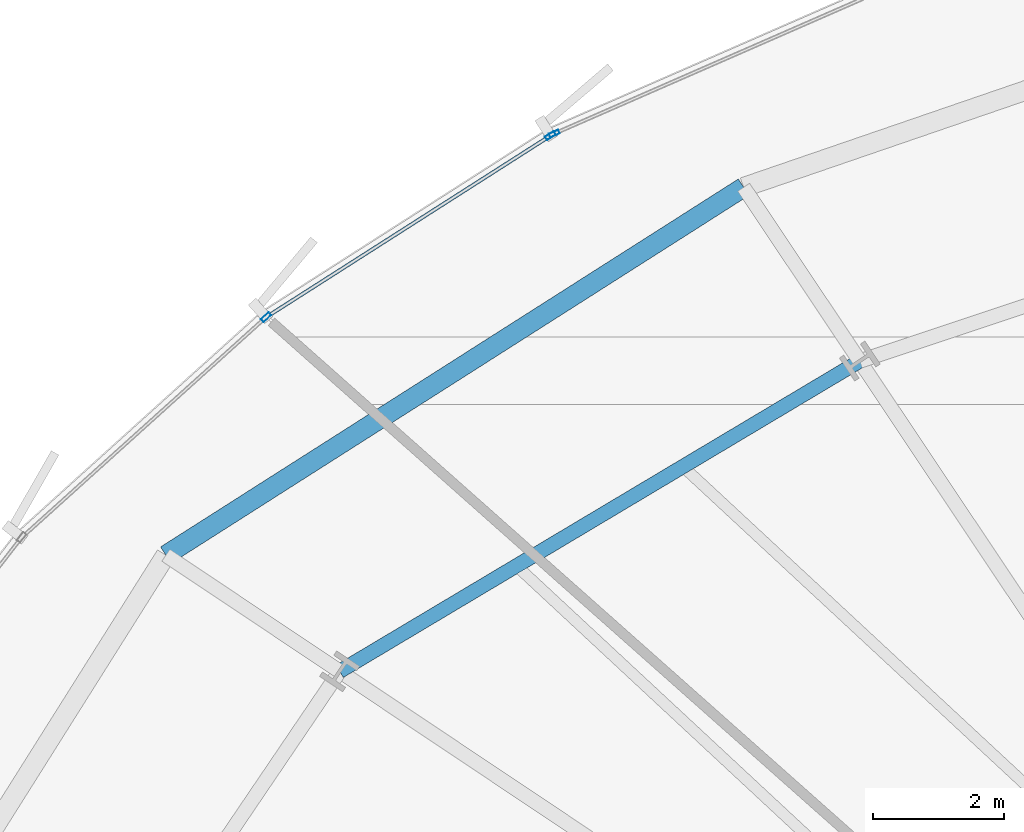
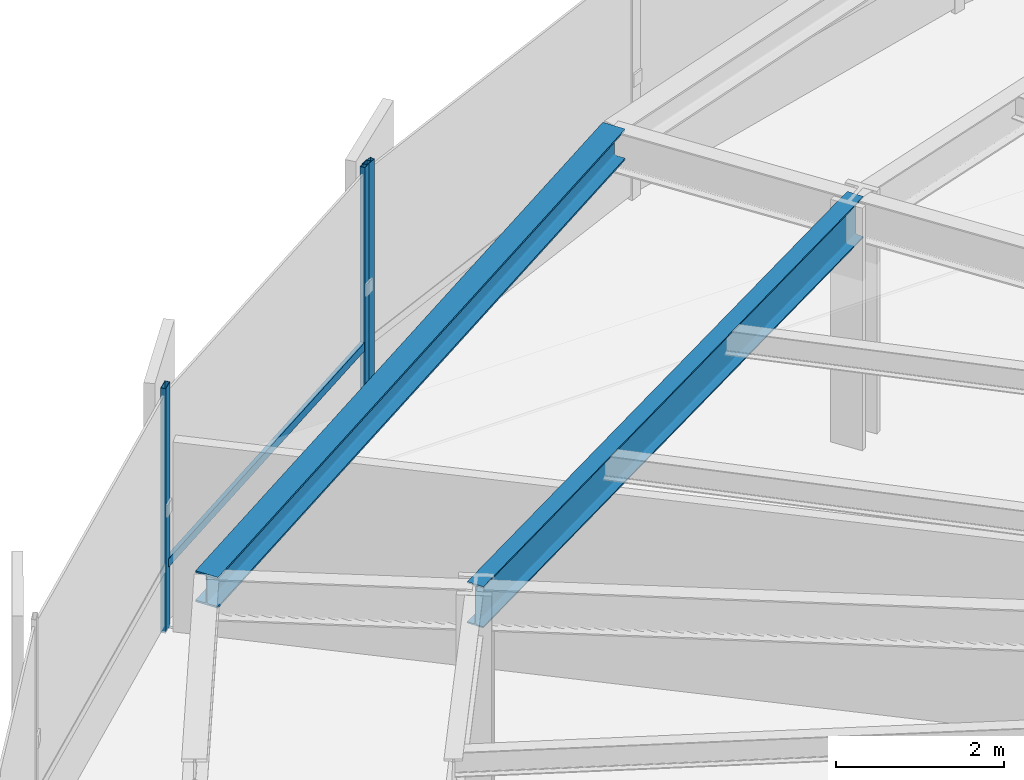
# One storey, part 19 of 39: 4 members, 2 beams, 2 elements without a shape of their own.
"""IFC4 building model written with IfcOpenShell, lengths in metres."""

from ifc_helpers import new_model, si_unit, direction, frame, origin, origin_2d, place, context, subcontext, project, spatial, hollow_rectangle, i_section, extrude, source, transform, mapped, material, layer, layer_set, material_profile, profile_set, type_object, element, aggregate, save


model = new_model("IFC4")

# Units and contexts
model_context = context("Model", 3, precision=1e-05, world=origin(), true_north=direction((0.0, 1.0)))
body_context = subcontext(model_context, "Body", "Model", "MODEL_VIEW")
ifc_project = project(units=[si_unit("LENGTHUNIT", "METRE"), si_unit("AREAUNIT", "SQUARE_METRE"), si_unit("VOLUMEUNIT", "CUBIC_METRE"), si_unit("PLANEANGLEUNIT", "RADIAN"), si_unit("MASSUNIT", "GRAM", prefix="KILO"), si_unit("THERMODYNAMICTEMPERATUREUNIT", "KELVIN")], contexts=[model_context])

# Site, building, storey
site_placement = place(None, origin())
site = spatial("IfcSite", under=ifc_project, at=site_placement, CompositionType="ELEMENT")
building_placement = place(site_placement, origin())
building = spatial("IfcBuilding", under=site, at=building_placement, Name="Kethvar Cultural Tower", CompositionType="ELEMENT")
storey_placement = place(building_placement, frame((0.0, 0.0, 41.0)))
storey = spatial("IfcBuildingStorey", under=building, at=storey_placement, Name="L09", CompositionType="ELEMENT", Elevation=41.0)

# Beams
ifc_material_1 = material(Name="Steel S355J2", Category="steel")
ifc_material_profile_1 = material_profile(ifc_material_1, i_section(OverallWidth=0.219970703125, OverallDepth=0.60009765625, WebThickness=0.011962890625, FlangeThickness=0.01904296875, FilletRadius=0.02392578125, at=origin_2d()), Name="Steel S355J2 — IPE600")
ifc_profile_set_1 = profile_set([ifc_material_profile_1], Name="Steel S355J2 — IPE600")
beam_type_1 = type_object("IfcBeamType", Name="BM-IPE600", PredefinedType="BEAM", material=ifc_profile_set_1)
shared_shape_1 = source(origin(), body_context, "Body", "SweptSolid", [
    extrude(i_section(OverallWidth=0.219970703125, OverallDepth=0.60009765625, WebThickness=0.011962890625, FlangeThickness=0.01904296875, FilletRadius=0.02392578125, at=origin_2d()), origin(), (0.0, 0.0, 1.0), 9.270263671875),
])
beam_1_placement = place(storey_placement, frame((34.64599609375, 45.98974609375, 3.248046875), z_axis=(-0.858814626354, -0.51228647997, 0.0), x_axis=(0.51228647997, -0.858814626354, 0.0)))
element("IfcBeam", 1, at=beam_1_placement, inside=storey, type_object=beam_type_1, Name="L09 Column Ring Tie Beam CR-06", PredefinedType="BEAM", context=body_context, shape_type="MappedRepresentation", body=[
    mapped(shared_shape_1, transform((0.0, 0.0, 0.0), scale=1.0)),
])
ifc_material_profile_2 = material_profile(ifc_material_1, i_section(OverallWidth=0.300048828125, OverallDepth=0.449951171875, WebThickness=0.013916015625, FlangeThickness=0.02587890625, FilletRadius=0.027099609375, at=origin_2d()), Name="Steel S355J2 — HEB450")
ifc_profile_set_2 = profile_set([ifc_material_profile_2], Name="Steel S355J2 — HEB450")
beam_type_2 = type_object("IfcBeamType", Name="BM-SP450", PredefinedType="SPANDREL", material=ifc_profile_set_2)
shared_shape_2 = source(origin(), body_context, "Body", "SweptSolid", [
    extrude(i_section(OverallWidth=0.300048828125, OverallDepth=0.449951171875, WebThickness=0.013916015625, FlangeThickness=0.02587890625, FilletRadius=0.027099609375, at=origin_2d()), origin(), (0.0, 0.0, 1.0), 10.485107421875),
])
beam_2_placement = place(storey_placement, frame((32.8681640625, 48.650390625, 3.322998046875), z_axis=(-0.843502294633, -0.537125570932, 0.0), x_axis=(0.537125570932, -0.843502294633, 0.0)))
element("IfcBeam", 2, at=beam_2_placement, inside=storey, type_object=beam_type_2, Name="L09 Perimeter Spandrel Beam SP-06", PredefinedType="SPANDREL", context=body_context, shape_type="MappedRepresentation", body=[
    mapped(shared_shape_2, transform((0.0, 0.0, 0.0), scale=1.0)),
])

# Curtain wall, member
ifc_material_2 = material(Name="Aluminium 6063-T6", Category="aluminium")
ifc_layer = layer(ifc_material_2, 0.179931640625, Name="Aluminium 6063-T6", Category="aluminium")
ifc_layer_set = layer_set([ifc_layer], Name="Aluminium 6063-T6 (180 mm)")
curtain_wall_type = type_object("IfcCurtainWallType", Name="CW-SYS-02-Z1", PredefinedType="NOTDEFINED", material=ifc_layer_set)
curtain_wall_1_placement = place(storey_placement, origin())
curtain_wall_1 = element("IfcCurtainWall", 3, at=curtain_wall_1_placement, inside=storey, type_object=curtain_wall_type, Name="L09 Curtain Wall Run 02", PredefinedType="NOTDEFINED")
ifc_material_profile_3 = material_profile(ifc_material_2, hollow_rectangle(XDim=0.06494140625, YDim=0.159912109375, WallThickness=0.0048828125, at=origin_2d()), Name="Aluminium 6063-T6 — RHS160x65x5")
ifc_profile_set_3 = profile_set([ifc_material_profile_3], Name="Aluminium 6063-T6 — RHS160x65x5")
member_type_1 = type_object("IfcMemberType", Name="CW-SYS-02-Z1-MUL", PredefinedType="MULLION", material=ifc_profile_set_3)
shared_shape_3 = source(origin(), body_context, "Body", "SweptSolid", [
    extrude(hollow_rectangle(XDim=0.06494140625, YDim=0.159912109375, WallThickness=0.0048828125, at=origin_2d()), origin(), (0.0, 0.0, 1.0), 3.550048828125),
])
member_1_placement = place(storey_placement, frame((29.97021484375, 49.471435546875, 0.0), z_axis=(0.0, 0.0, 1.0), x_axis=(0.400684870141, -0.916215932431, 0.0)))
member_1 = element("IfcMember", 4, at=member_1_placement, type_object=member_type_1, Name="CW-L09-R02 Mullion 7", PredefinedType="MULLION", context=body_context, shape_type="MappedRepresentation", body=[
    mapped(shared_shape_3, transform((0.0, 0.0, 0.0), scale=1.0)),
])
aggregate(curtain_wall_1, [member_1])

# Curtain wall, members
curtain_wall_2_placement = place(storey_placement, origin())
curtain_wall_2 = element("IfcCurtainWall", 5, at=curtain_wall_2_placement, inside=storey, type_object=curtain_wall_type, Name="L09 Curtain Wall Run 03", PredefinedType="NOTDEFINED")
member_2_placement = place(storey_placement, frame((29.91259765625, 49.4404296875, 0.0), z_axis=(0.0, 0.0, 1.0), x_axis=(0.538123669206, -0.842865894814, 0.0)))
member_2 = element("IfcMember", 6, at=member_2_placement, type_object=member_type_1, Name="CW-L09-R03 Mullion 1", PredefinedType="MULLION", context=body_context, shape_type="MappedRepresentation", body=[
    mapped(shared_shape_3, transform((0.0, 0.0, 0.0), scale=1.0)),
])
member_3_placement = place(storey_placement, frame((25.55859375, 46.662841796875, 0.0), z_axis=(0.0, 0.0, 1.0), x_axis=(0.669701103254, -0.74263075098, 0.0)))
member_3 = element("IfcMember", 7, at=member_3_placement, type_object=member_type_1, Name="CW-L09-R03 Mullion 2", PredefinedType="MULLION", context=body_context, shape_type="MappedRepresentation", body=[
    mapped(shared_shape_3, transform((0.0, 0.0, 0.0), scale=1.0)),
])
ifc_material_profile_4 = material_profile(ifc_material_2, hollow_rectangle(XDim=0.054931640625, YDim=0.1201171875, WallThickness=0.00390625, at=origin_2d()), Name="Aluminium 6063-T6 — RHS120x55x4")
ifc_profile_set_4 = profile_set([ifc_material_profile_4], Name="Aluminium 6063-T6 — RHS120x55x4")
member_type_2 = type_object("IfcMemberType", Name="CW-SYS-02-Z1-TRN", PredefinedType="USERDEFINED", material=ifc_profile_set_4)
shared_shape_4 = source(origin(), body_context, "Body", "SweptSolid", [
    extrude(hollow_rectangle(XDim=0.054931640625, YDim=0.1201171875, WallThickness=0.00390625, at=origin_2d()), origin(), (0.0, 0.0, 1.0), 5.133056640625),
])
member_4_placement = place(storey_placement, frame((29.90869140625, 49.43798828125, 0.949951171875), z_axis=(-0.842863458391, -0.538127485369, 0.0), x_axis=(0.538127485369, -0.842863458391, 0.0)))
member_4 = element("IfcMember", 8, at=member_4_placement, type_object=member_type_2, Name="CW-L09-R03 Transom 1", ObjectType="TRANSOM", PredefinedType="USERDEFINED", context=body_context, shape_type="MappedRepresentation", body=[
    mapped(shared_shape_4, transform((0.0, 0.0, 0.0), scale=1.0)),
])
aggregate(curtain_wall_2, [member_2, member_3, member_4])

save(model, "model.ifc")
